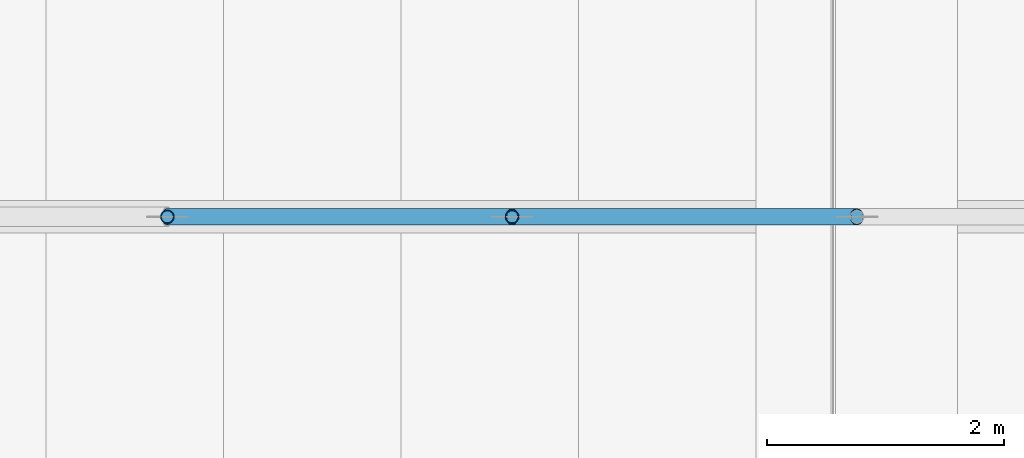
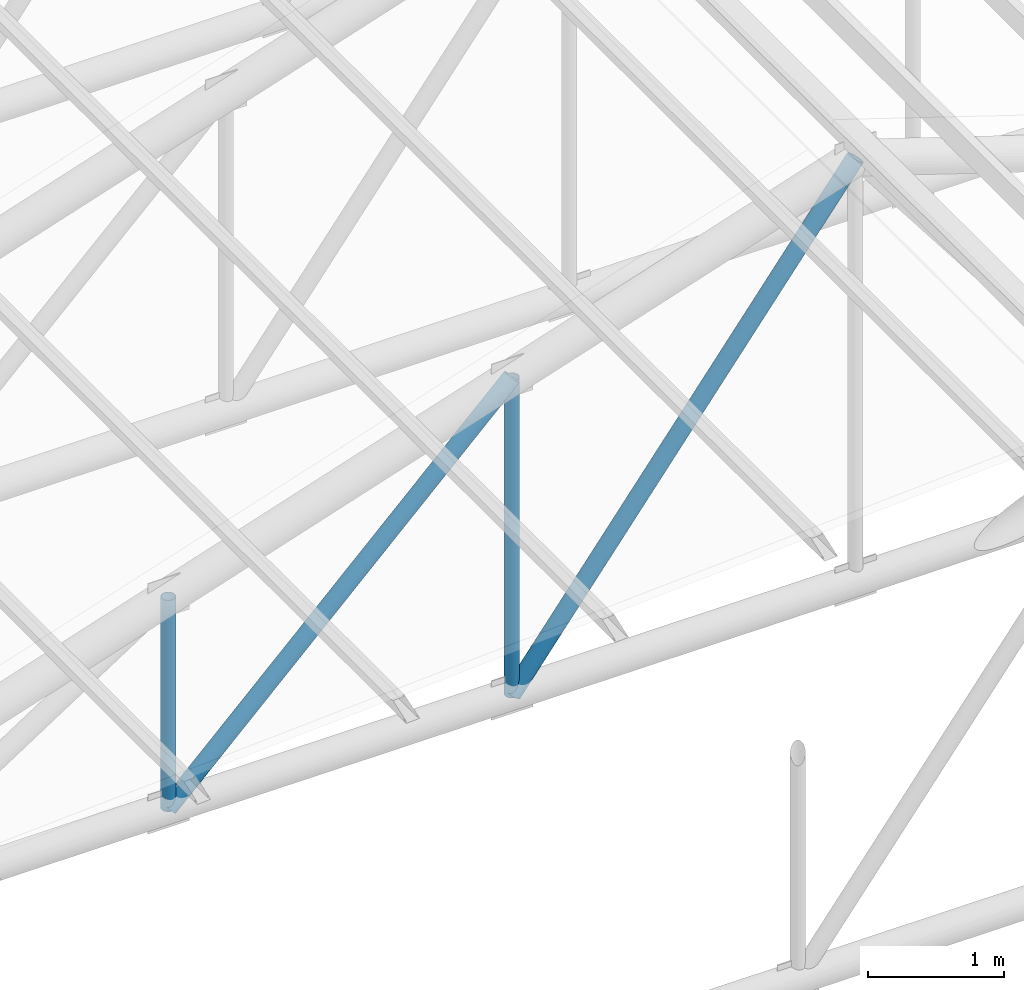
# One storey, part 37 of 95: 4 members.
"""IFC4 building model written with IfcOpenShell, lengths in metres."""

from ifc_helpers import new_model, si_unit, direction, frame, origin, origin_2d, place, context, subcontext, project, spatial, hollow_circle, extrude, material, material_profile, profile_set, type_object, element, save


model = new_model("IFC4")

# Units and contexts
model_context = context("Model", 3, precision=1e-05, world=origin(), true_north=direction((0.0, 1.0)))
body_context = subcontext(model_context, "Body", "Model", "MODEL_VIEW")
ifc_project = project(units=[si_unit("LENGTHUNIT", "METRE"), si_unit("AREAUNIT", "SQUARE_METRE"), si_unit("VOLUMEUNIT", "CUBIC_METRE"), si_unit("PLANEANGLEUNIT", "RADIAN"), si_unit("MASSUNIT", "GRAM", prefix="KILO")], contexts=[model_context])

# Site, building, storey
site_placement = place(None, origin())
site = spatial("IfcSite", under=ifc_project, at=site_placement, CompositionType="ELEMENT")
building_placement = place(site_placement, origin())
building = spatial("IfcBuilding", under=site, at=building_placement, Name="Kiln Court Media Centre", CompositionType="ELEMENT")
storey_placement = place(building_placement, frame((0.0, 0.0, 24.60009765625)))
storey = spatial("IfcBuildingStorey", under=building, at=storey_placement, Name="L05", CompositionType="ELEMENT", Elevation=24.60009765625)

# Members
ifc_material_1 = material(Name="Steel ASTM A500 Gr C", Category="steel")
ifc_material_profile_1 = material_profile(ifc_material_1, hollow_circle(Radius=0.05712890625, WallThickness=0.0048828125, at=origin_2d()), Name="CHS 114.3x5.0")
ifc_profile_set_1 = profile_set([ifc_material_profile_1], Name="Steel ASTM A500 Gr C")
member_type_1 = type_object("IfcMemberType", Name="Steel ASTM A500 Gr C CHS 114.3x5.0 truss web", PredefinedType="BRACE", material=ifc_profile_set_1)
member_1_placement = place(storey_placement, frame((40.574951171875, 50.39990234375, -0.013916015625), z_axis=(0.0, 0.0, 1.0), x_axis=(1.0, 0.0, 0.0)))
element("IfcMember", 1, at=member_1_placement, inside=storey, type_object=member_type_1, Name="foyer truss FT-07 post 2 truss web", PredefinedType="BRACE", context=body_context, shape_type="SweptSolid", body=[
    extrude(hollow_circle(Radius=0.05712890625, WallThickness=0.0048828125, at=origin_2d()), origin(), (0.0, 0.0, 1.0), 1.892822265625),
])
member_2_placement = place(storey_placement, frame((43.487548828125, 50.39990234375, -0.013916015625), z_axis=(0.0, 0.0, 1.0), x_axis=(1.0, 0.0, 0.0)))
element("IfcMember", 2, at=member_2_placement, inside=storey, type_object=member_type_1, Name="foyer truss FT-07 post 3 truss web", PredefinedType="BRACE", context=body_context, shape_type="SweptSolid", body=[
    extrude(hollow_circle(Radius=0.05712890625, WallThickness=0.0048828125, at=origin_2d()), origin(), (0.0, 0.0, 1.0), 2.839111328125),
])
ifc_material_2 = material(Name="Steel ASTM A500 Gr C", Category="steel")
ifc_material_profile_2 = material_profile(ifc_material_2, hollow_circle(Radius=0.06982421875, WallThickness=0.0048828125, at=origin_2d()), Name="CHS 139.7x5.0")
ifc_profile_set_2 = profile_set([ifc_material_profile_2], Name="Steel ASTM A500 Gr C")
member_type_2 = type_object("IfcMemberType", Name="Steel ASTM A500 Gr C CHS 139.7x5.0 truss web", PredefinedType="BRACE", material=ifc_profile_set_2)
member_3_placement = place(storey_placement, frame((40.574951171875, 50.39990234375, -0.013916015625), z_axis=(0.716082640751, 0.0, 0.69801550958), x_axis=(0.0, 1.0, 0.0)))
element("IfcMember", 3, at=member_3_placement, inside=storey, type_object=member_type_2, Name="foyer truss FT-07 diagonal 3 truss web", PredefinedType="BRACE", context=body_context, shape_type="SweptSolid", body=[
    extrude(hollow_circle(Radius=0.06982421875, WallThickness=0.0048828125, at=origin_2d()), origin(), (0.0, 0.0, 1.0), 4.0673828125),
])
member_4_placement = place(storey_placement, frame((43.487548828125, 50.39990234375, -0.013916015625), z_axis=(0.609777458127, 0.0, 0.79257267904), x_axis=(0.0, 1.0, 0.0)))
element("IfcMember", 4, at=member_4_placement, inside=storey, type_object=member_type_2, Name="foyer truss FT-07 diagonal 4 truss web", PredefinedType="BRACE", context=body_context, shape_type="SweptSolid", body=[
    extrude(hollow_circle(Radius=0.06982421875, WallThickness=0.0048828125, at=origin_2d()), origin(), (0.0, 0.0, 1.0), 4.776123046875),
])

save(model, "model.ifc")
